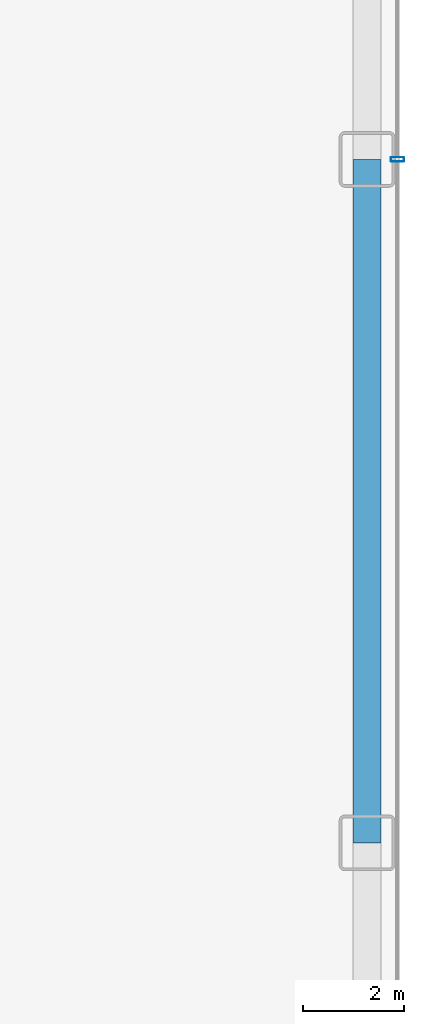
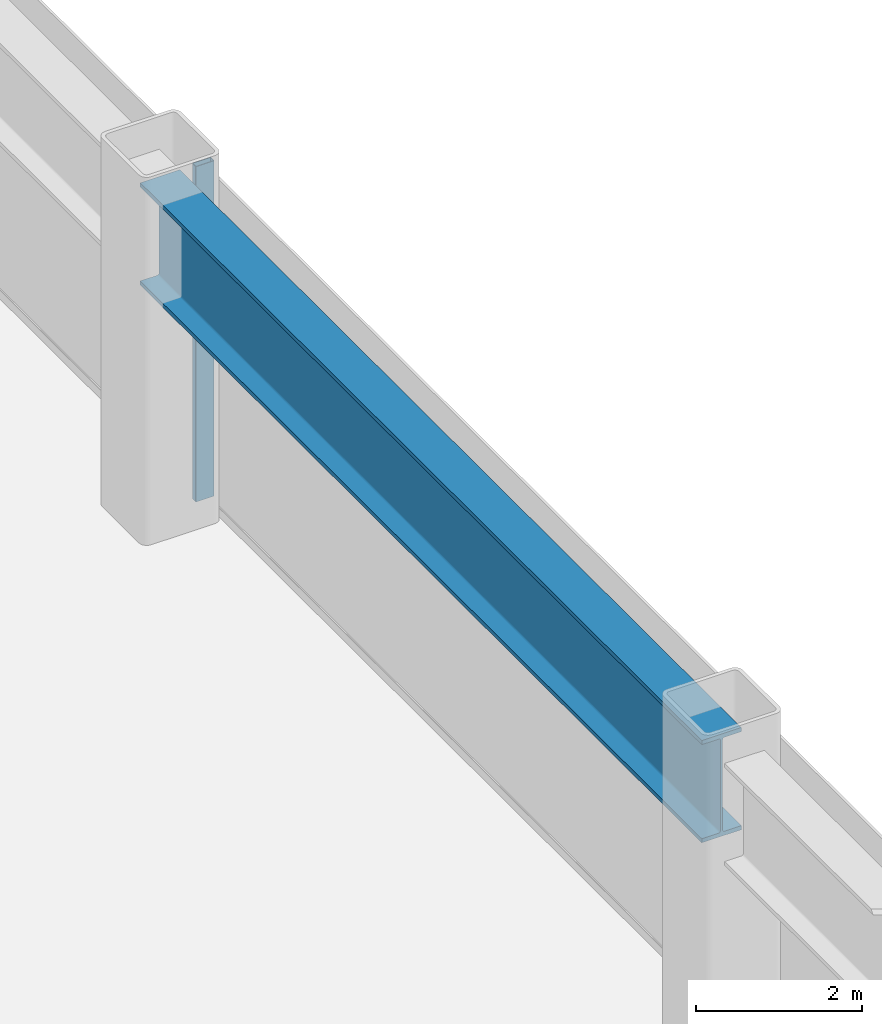
# One storey, part 13 of 24: 1 beam, 1 member, 1 element without a shape of its own.
"""IFC4 building model written with IfcOpenShell, lengths in metres."""

from ifc_helpers import new_model, si_unit, direction, frame, origin, origin_2d, place, context, subcontext, project, spatial, hollow_rectangle, i_section, extrude, source, transform, mapped, material, layer, layer_set, material_profile, profile_set, type_object, element, aggregate, save


model = new_model("IFC4")

# Units and contexts
model_context = context("Model", 3, precision=1e-05, world=origin(), true_north=direction((0.0, 1.0)))
body_context = subcontext(model_context, "Body", "Model", "MODEL_VIEW")
ifc_project = project(units=[si_unit("LENGTHUNIT", "METRE"), si_unit("AREAUNIT", "SQUARE_METRE"), si_unit("VOLUMEUNIT", "CUBIC_METRE"), si_unit("PLANEANGLEUNIT", "RADIAN"), si_unit("MASSUNIT", "GRAM", prefix="KILO")], contexts=[model_context])

# Site, building, storey
site_placement = place(None, origin())
site = spatial("IfcSite", under=ifc_project, at=site_placement, CompositionType="ELEMENT")
building_placement = place(site_placement, origin())
building = spatial("IfcBuilding", under=site, at=building_placement, Name="Nefas-Gora Pilgrimage Tower", CompositionType="ELEMENT")
storey_placement = place(building_placement, frame((0.0, 0.0, 22.199951171875)))
storey = spatial("IfcBuildingStorey", under=building, at=storey_placement, Name="L04", CompositionType="ELEMENT", Elevation=22.199951171875)

# Beam
ifc_material_1 = material(Name="Steel S460", Category="steel")
ifc_material_profile_1 = material_profile(ifc_material_1, i_section(OverallWidth=0.550048828125, OverallDepth=1.5, WebThickness=0.031982421875, FlangeThickness=0.06005859375, FilletRadius=0.02392578125, at=origin_2d()), Name="WPG 1500x550x32x60")
ifc_profile_set_1 = profile_set([ifc_material_profile_1], Name="Steel S460")
beam_type = type_object("IfcBeamType", Name="BM-TR-1500E", PredefinedType="BEAM", material=ifc_profile_set_1)
shared_shape_1 = source(origin(), body_context, "Body", "SweptSolid", [
    extrude(i_section(OverallWidth=0.550048828125, OverallDepth=1.5, WebThickness=0.031982421875, FlangeThickness=0.06005859375, FilletRadius=0.02392578125, at=origin_2d()), origin(), (0.0, 0.0, 1.0), 13.5),
])
beam_placement = place(storey_placement, frame((37.64990234375, -13.5, 4.170166015625), z_axis=(0.0, 1.0, 0.0), x_axis=(-1.0, 0.0, 0.0)))
element("IfcBeam", 1, at=beam_placement, inside=storey, type_object=beam_type, Name="L04 TB-01E beam", PredefinedType="BEAM", context=body_context, shape_type="MappedRepresentation", body=[
    mapped(shared_shape_1, transform((0.0, 0.0, 0.0), x_axis=(1.0, 0.0, 0.0), y_axis=(0.0, 1.0, 0.0), z_axis=(0.0, 0.0, 1.0), scale=1.0)),
])

# Curtain wall, member
ifc_material_2 = material(Name="Dark ceramic-fritted solar-control aluminium-glass curtain wall", Category="aluminium")
ifc_layer = layer(ifc_material_2, 0.219970703125)
ifc_layer_set = layer_set([ifc_layer], Name="Dark ceramic-fritted solar-control aluminium-glass curtain wall")
curtain_wall_type = type_object("IfcCurtainWallType", Name="CW-SYS-1", PredefinedType="NOTDEFINED", material=ifc_layer_set)
curtain_wall_placement = place(storey_placement, origin())
curtain_wall = element("IfcCurtainWall", 2, at=curtain_wall_placement, inside=storey, type_object=curtain_wall_type, Name="L04 Unitised Curtain Wall CW1", PredefinedType="NOTDEFINED")
ifc_material_3 = material(Name="Anodised architectural aluminium", Category="aluminium")
ifc_material_profile_2 = material_profile(ifc_material_3, hollow_rectangle(XDim=0.090087890625, YDim=0.260009765625, WallThickness=0.006103515625, InnerFilletRadius=0.006103515625, OuterFilletRadius=0.011962890625, at=origin_2d()), Name="ALU MULLION 90x260")
ifc_profile_set_2 = profile_set([ifc_material_profile_2], Name="Anodised architectural aluminium")
member_type = type_object("IfcMemberType", Name="CWM-MUL-1", PredefinedType="MULLION", material=ifc_profile_set_2)
shared_shape_2 = source(origin(), body_context, "Body", "SweptSolid", [
    extrude(hollow_rectangle(XDim=0.090087890625, YDim=0.260009765625, WallThickness=0.006103515625, InnerFilletRadius=0.006103515625, OuterFilletRadius=0.011962890625, at=origin_2d()), origin(), (0.0, 0.0, 1.0), 4.920166015625),
])
member_placement = place(storey_placement, frame((38.25, 0.0, 0.0), z_axis=(0.0, 0.0, 1.0), x_axis=(0.0, 1.0, 0.0)))
member = element("IfcMember", 3, at=member_placement, type_object=member_type, Name="CW1 Mullion 2", PredefinedType="MULLION", context=body_context, shape_type="MappedRepresentation", body=[
    mapped(shared_shape_2, transform((0.0, 0.0, 0.0), x_axis=(1.0, 0.0, 0.0), y_axis=(0.0, 1.0, 0.0), z_axis=(0.0, 0.0, 1.0), scale=1.0)),
])
aggregate(curtain_wall, [member])

save(model, "model.ifc")
